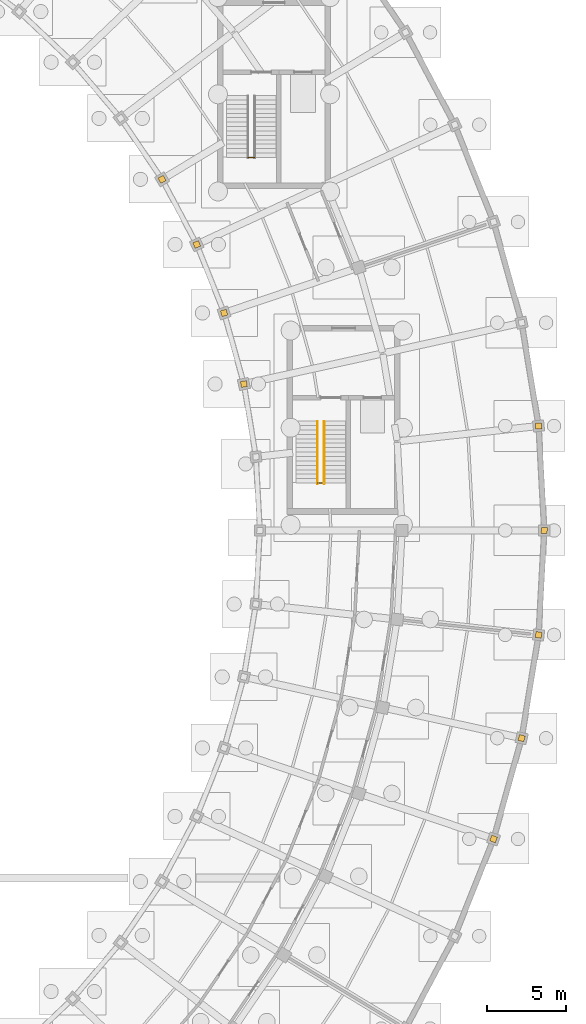
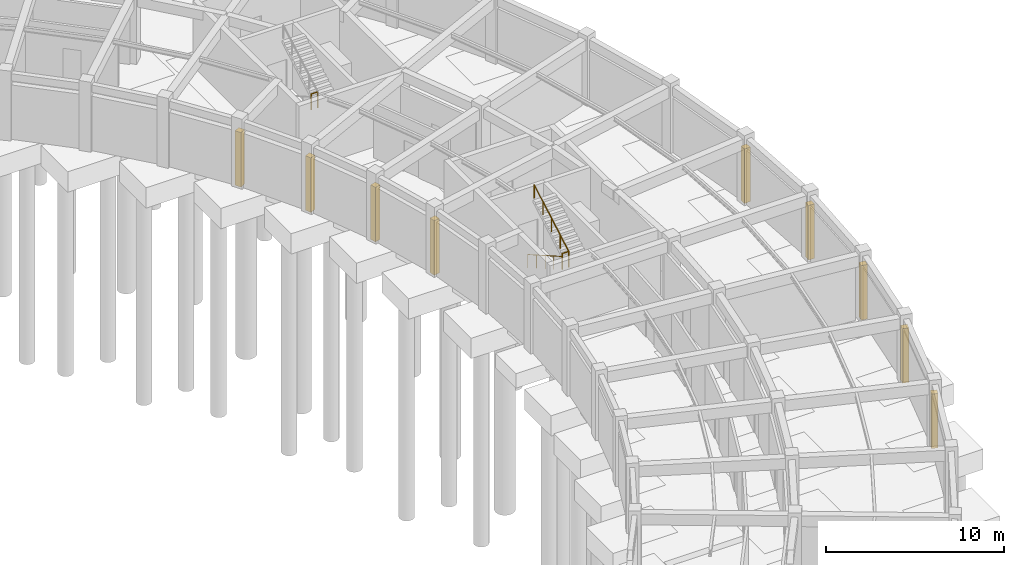
# One storey, part 40 of 42: 9 coverings, 4 railings.
"""IFC4 building model written with IfcOpenShell, lengths in metres."""

from ifc_helpers import new_model, si_unit, direction, frame, origin, origin_2d, place, context, subcontext, project, spatial, rectangle, circle, extrude, material, layer, layer_set, type_object, element, save


model = new_model("IFC4")

# Units and contexts
model_context = context("Model", 3, precision=1e-05, world=origin(), true_north=direction((0.0, 1.0)))
body_context = subcontext(model_context, "Body", "Model", "MODEL_VIEW")
ifc_project = project(units=[si_unit("LENGTHUNIT", "METRE"), si_unit("AREAUNIT", "SQUARE_METRE"), si_unit("VOLUMEUNIT", "CUBIC_METRE"), si_unit("PLANEANGLEUNIT", "RADIAN"), si_unit("MASSUNIT", "GRAM", prefix="KILO")], contexts=[model_context])

# Site, building, storey
site_placement = place(None, origin())
site = spatial("IfcSite", under=ifc_project, at=site_placement, CompositionType="ELEMENT")
building_placement = place(site_placement, origin())
building = spatial("IfcBuilding", under=site, at=building_placement, Name="Tarnveldt Headland Concert Hall", CompositionType="ELEMENT")
storey_placement = place(building_placement, frame((0.0, 0.0, -4.800048828125)))
storey = spatial("IfcBuildingStorey", under=building, at=storey_placement, Name="B1", CompositionType="ELEMENT", Elevation=-4.800048828125)

# Coverings
ifc_material_1 = material(Name="Coral-toned precast concrete C40/50", Category="concrete")
ifc_layer_1 = layer(ifc_material_1, 0.360107421875, Name="Coral-toned precast concrete C40/50", Category="concrete")
ifc_layer_set_1 = layer_set([ifc_layer_1], Name="Coral-toned precast concrete C40/50")
covering_type = type_object("IfcCoveringType", Name="CV-JNT360", PredefinedType="CLADDING", material=ifc_layer_set_1)
for number, where, z_axis, x_axis, name in (
    (1, (154.315185546875, 82.218017578125, 0.0), (0.0, 0.0, 1.0), (-0.469471562786, 0.882947592859, 0.0), "Precast facade joint closure pilaster B1-85"),
    (2, (156.50634765625, 78.096923828125, 0.0), (0.0, 0.0, 1.0), (-0.371043710237, 0.928615402141, 0.0), "Precast facade joint closure pilaster B1-87"),
    (3, (158.238037109375, 73.7626953125, 0.0), (0.0, 0.0, 1.0), (-0.268079200424, 0.963396876837, 0.0), "Precast facade joint closure pilaster B1-91"),
    (4, (159.48974609375, 69.26611328125, 0.0), (0.0, 0.0, 1.0), (-0.162120515372, 0.986770965572, 0.0), "Precast facade joint closure pilaster B1-93"),
    (5, (175.291259765625, 40.476318359375, 0.0), (0.0, 0.0, 1.0), (-0.371043710237, -0.928615402141, 0.0), "Precast facade joint closure pilaster B1-105"),
    (6, (177.06689453125, 46.85498046875, 0.0), (0.0, 0.0, 1.0), (-0.268079200424, -0.963396876837, 0.0), "Precast facade joint closure pilaster B1-107"),
    (7, (178.140625, 53.388427734375, 0.0), (0.0, 0.0, 1.0), (-0.162120515372, -0.986770965572, 0.0), "Precast facade joint closure pilaster B1-109"),
    (8, (178.140625, 66.611572265625, 0.0), (0.0, 0.0, 1.0), (0.054253089686, -0.998527216584, 0.0), "Precast facade joint closure pilaster B1-110"),
    (9, (178.5, 60.0, 0.0), (0.0, 0.0, 1.0), (-0.054253089686, -0.998527216584, 0.0), "Precast facade joint closure pilaster B1-111"),
):
    element("IfcCovering", number, at=place(storey_placement, frame(where, z_axis=z_axis, x_axis=x_axis)), inside=storey, type_object=covering_type, Name=name, PredefinedType="CLADDING", context=body_context, shape_type="SweptSolid", body=[
        extrude(rectangle(XDim=0.3798828125, YDim=0.3798828125, at=origin_2d()), origin(), (0.0, 0.0, 1.0), 3.738037109375),
    ])

# Railings
ifc_material_2 = material(Name="Marine stainless steel", Category="steel")
ifc_layer_2 = layer(ifc_material_2, 0.06005859375, Name="Marine stainless steel", Category="steel")
ifc_layer_set_2 = layer_set([ifc_layer_2], Name="Marine stainless steel")
railing_type_1 = type_object("IfcRailingType", Name="RL-GRD110", PredefinedType="GUARDRAIL", material=ifc_layer_set_2)
railing_1_placement = place(storey_placement, frame((159.75, 83.60009765625, 2.400146484375)))
element("IfcRailing", 10, at=railing_1_placement, inside=storey, type_object=railing_type_1, Name="GUARD STR-C3-B1 half-landing well", PredefinedType="GUARDRAIL", context=body_context, shape_type="SweptSolid", body=[
    extrude(circle(Radius=0.02392578125, at=origin_2d()), frame((0.0, 0.0, 1.076171875), z_axis=(1.0, 0.0, 0.0), x_axis=(0.0, 1.0, 0.0)), (0.0, 0.0, 1.0), 0.419921875),
    extrude(circle(Radius=0.02099609375, at=origin_2d()), origin(), (0.0, 0.0, 1.0), 1.052001953125),
    extrude(circle(Radius=0.02099609375, at=origin_2d()), frame((0.419921875, 0.0, 0.0)), (0.0, 0.0, 1.0), 1.052001953125),
])
railing_2_placement = place(storey_placement, frame((164.14990234375, 63.0, 2.400146484375)))
element("IfcRailing", 11, at=railing_2_placement, inside=storey, type_object=railing_type_1, Name="GUARD STR-C4-B1 half-landing well", PredefinedType="GUARDRAIL", context=body_context, shape_type="SweptSolid", body=[
    extrude(circle(Radius=0.02392578125, at=origin_2d()), frame((0.0, 0.0, 1.076171875), z_axis=(1.0, 0.0, 0.0), x_axis=(0.0, 1.0, 0.0)), (0.0, 0.0, 1.0), 0.420166015625),
    extrude(circle(Radius=0.02099609375, at=origin_2d()), origin(), (0.0, 0.0, 1.0), 1.052001953125),
    extrude(circle(Radius=0.02099609375, at=origin_2d()), frame((0.420166015625, 0.0, 0.0)), (0.0, 0.0, 1.0), 1.052001953125),
])
ifc_layer_3 = layer(ifc_material_2, 0.048095703125, Name="Marine stainless steel", Category="steel")
ifc_layer_set_3 = layer_set([ifc_layer_3], Name="Marine stainless steel")
railing_type_2 = type_object("IfcRailingType", Name="RL-HND092", PredefinedType="HANDRAIL", material=ifc_layer_set_3)
railing_3_placement = place(storey_placement, frame((164.14990234375, 66.8798828125, 0.16015625)))
element("IfcRailing", 12, at=railing_3_placement, inside=storey, type_object=railing_type_2, Name="HANDRAIL STR-C4-B1 flight 1", PredefinedType="HANDRAIL", context=body_context, shape_type="SweptSolid", body=[
    extrude(circle(Radius=0.02392578125, at=origin_2d()), frame((0.0, 0.0, 0.89599609375), z_axis=(0.0, -0.868239814368, 0.496144761885), x_axis=(1.0, 0.0, 0.0)), (0.0, 0.0, 1.0), 4.514892578125),
    extrude(circle(Radius=0.02099609375, at=origin_2d()), origin(), (0.0, 0.0, 1.0), 0.871826171875),
    extrude(circle(Radius=0.02099609375, at=origin_2d()), frame((0.0, -0.97998046875, 0.56005859375)), (0.0, 0.0, 1.0), 0.871826171875),
    extrude(circle(Radius=0.02099609375, at=origin_2d()), frame((0.0, -1.9599609375, 1.1201171875)), (0.0, 0.0, 1.0), 0.871826171875),
    extrude(circle(Radius=0.02099609375, at=origin_2d()), frame((0.0, -2.93994140625, 1.679931640625)), (0.0, 0.0, 1.0), 0.871826171875),
    extrude(circle(Radius=0.02099609375, at=origin_2d()), frame((0.0, -3.919921875, 2.239990234375)), (0.0, 0.0, 1.0), 0.871826171875),
])
railing_4_placement = place(storey_placement, frame((164.570068359375, 62.9599609375, 2.56005859375)))
element("IfcRailing", 13, at=railing_4_placement, inside=storey, type_object=railing_type_2, Name="HANDRAIL STR-C4-B1 flight 2", PredefinedType="HANDRAIL", context=body_context, shape_type="SweptSolid", body=[
    extrude(circle(Radius=0.02392578125, at=origin_2d()), frame((0.0, 0.0, 0.89599609375), z_axis=(0.0, 0.868239814368, 0.496144761885), x_axis=(-1.0, 0.0, 0.0)), (0.0, 0.0, 1.0), 4.514892578125),
    extrude(circle(Radius=0.02099609375, at=origin_2d()), origin(), (0.0, 0.0, 1.0), 0.871826171875),
    extrude(circle(Radius=0.02099609375, at=origin_2d()), frame((0.0, 0.97998046875, 0.56005859375)), (0.0, 0.0, 1.0), 0.871826171875),
    extrude(circle(Radius=0.02099609375, at=origin_2d()), frame((0.0, 1.9599609375, 1.1201171875)), (0.0, 0.0, 1.0), 0.871826171875),
    extrude(circle(Radius=0.02099609375, at=origin_2d()), frame((0.0, 2.93994140625, 1.679931640625)), (0.0, 0.0, 1.0), 0.871826171875),
    extrude(circle(Radius=0.02099609375, at=origin_2d()), frame((0.0, 3.919921875, 2.239990234375)), (0.0, 0.0, 1.0), 0.871826171875),
])

save(model, "model.ifc")
